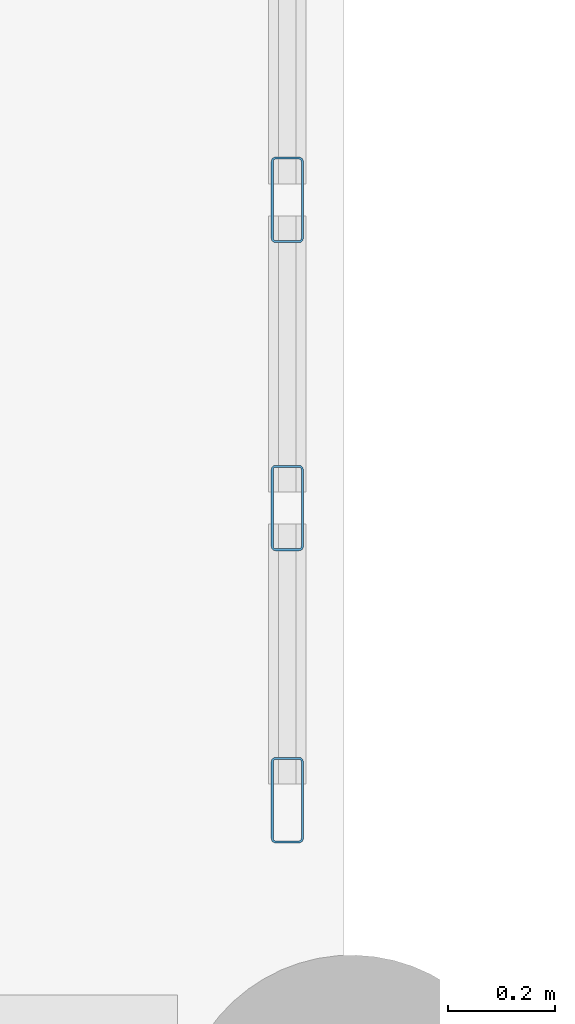
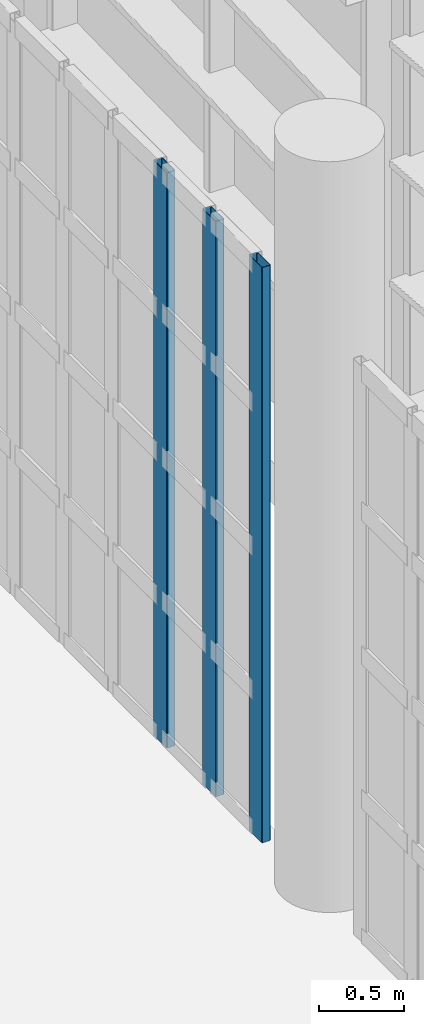
# One storey, part 190 of 372: 3 members, 1 element without a shape of its own.
"""IFC4 building model written with IfcOpenShell, lengths in metres."""

from ifc_helpers import new_model, si_unit, direction, frame, origin, origin_2d, place, context, subcontext, project, spatial, hollow_rectangle, extrude, material, material_profile, profile_set, type_object, element, aggregate, save


model = new_model("IFC4")

# Units and contexts
model_context = context("Model", 3, precision=1e-05, world=origin(), true_north=direction((0.0, 1.0)))
body_context = subcontext(model_context, "Body", "Model", "MODEL_VIEW")
ifc_project = project(units=[si_unit("LENGTHUNIT", "METRE"), si_unit("AREAUNIT", "SQUARE_METRE"), si_unit("VOLUMEUNIT", "CUBIC_METRE"), si_unit("PLANEANGLEUNIT", "RADIAN"), si_unit("MASSUNIT", "GRAM", prefix="KILO")], contexts=[model_context])

# Site, building, storey
site_placement = place(None, origin())
site = spatial("IfcSite", under=ifc_project, at=site_placement, CompositionType="ELEMENT")
building_placement = place(site_placement, origin())
building = spatial("IfcBuilding", under=site, at=building_placement, Name="Kaelora Sail Theatre", CompositionType="ELEMENT")
storey_placement = place(building_placement, origin())
storey = spatial("IfcBuildingStorey", under=building, at=storey_placement, Name="L00", CompositionType="ELEMENT", Elevation=0.0)

# Curtain wall, members
ifc_material_1 = material(Name="Anodised aluminium and solar-control low-E IGU", Category="aluminium")
curtain_wall_type = type_object("IfcCurtainWallType", Name="ARC-CW-CW-FOY1", PredefinedType="NOTDEFINED", material=ifc_material_1)
curtain_wall_placement = place(storey_placement, origin())
curtain_wall = element("IfcCurtainWall", 1, at=curtain_wall_placement, inside=storey, type_object=curtain_wall_type, Name="West Interstitial Foyer East Glazed Return L00-04", PredefinedType="NOTDEFINED")
ifc_material_2 = material(Name="Anodised aluminium 6063-T6", Category="aluminium")
ifc_material_profile = material_profile(ifc_material_2, hollow_rectangle(XDim=0.06005859375, YDim=0.159912109375, WallThickness=0.00390625, InnerFilletRadius=0.00390625, OuterFilletRadius=0.008056640625, at=origin_2d()), Name="ALU-MULL 60x160x4")
ifc_profile_set = profile_set([ifc_material_profile], Name="Anodised aluminium 6063-T6")
member_type = type_object("IfcMemberType", Name="ARC-MEM-ML-160", PredefinedType="MULLION", material=ifc_profile_set)
member_1_placement = place(storey_placement, frame((74.280029296875, 54.195068359375, 0.0), z_axis=(0.0, 0.0, 1.0), x_axis=(-1.0, 0.0, 0.0)))
member_1 = element("IfcMember", 2, at=member_1_placement, type_object=member_type, Name="CW-FOY1 mullion 1", PredefinedType="MULLION", context=body_context, shape_type="SweptSolid", body=[
    extrude(hollow_rectangle(XDim=0.06005859375, YDim=0.159912109375, WallThickness=0.00390625, InnerFilletRadius=0.00390625, OuterFilletRadius=0.008056640625, at=origin_2d()), origin(), (0.0, 0.0, 1.0), 4.136962890625),
])
member_2_placement = place(storey_placement, frame((74.280029296875, 54.741455078125, 0.0), z_axis=(0.0, 0.0, 1.0), x_axis=(-1.0, 0.0, 0.0)))
member_2 = element("IfcMember", 3, at=member_2_placement, type_object=member_type, Name="CW-FOY1 mullion 2", PredefinedType="MULLION", context=body_context, shape_type="SweptSolid", body=[
    extrude(hollow_rectangle(XDim=0.06005859375, YDim=0.159912109375, WallThickness=0.00390625, InnerFilletRadius=0.00390625, OuterFilletRadius=0.008056640625, at=origin_2d()), origin(), (0.0, 0.0, 1.0), 4.136962890625),
])
member_3_placement = place(storey_placement, frame((74.280029296875, 55.31787109375, 0.0), z_axis=(0.0, 0.0, 1.0), x_axis=(-1.0, 0.0, 0.0)))
member_3 = element("IfcMember", 4, at=member_3_placement, type_object=member_type, Name="CW-FOY1 mullion 3", PredefinedType="MULLION", context=body_context, shape_type="SweptSolid", body=[
    extrude(hollow_rectangle(XDim=0.06005859375, YDim=0.159912109375, WallThickness=0.00390625, InnerFilletRadius=0.00390625, OuterFilletRadius=0.008056640625, at=origin_2d()), origin(), (0.0, 0.0, 1.0), 4.136962890625),
])
aggregate(curtain_wall, [member_1, member_2, member_3])

save(model, "model.ifc")
